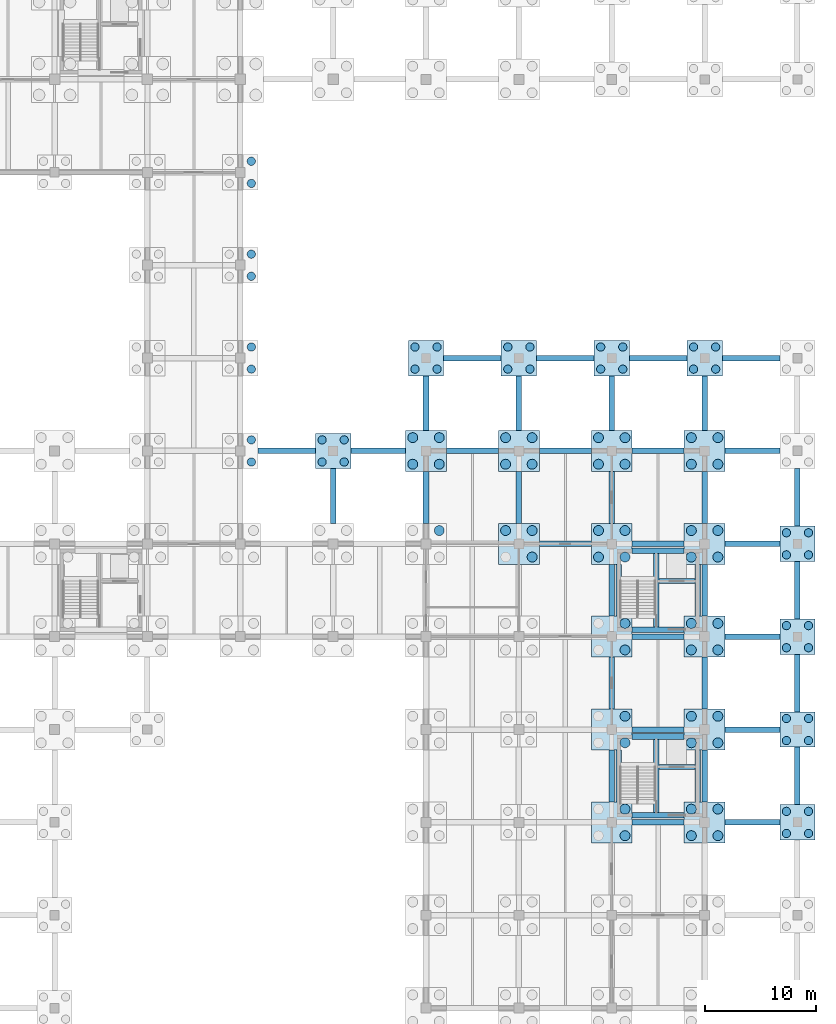
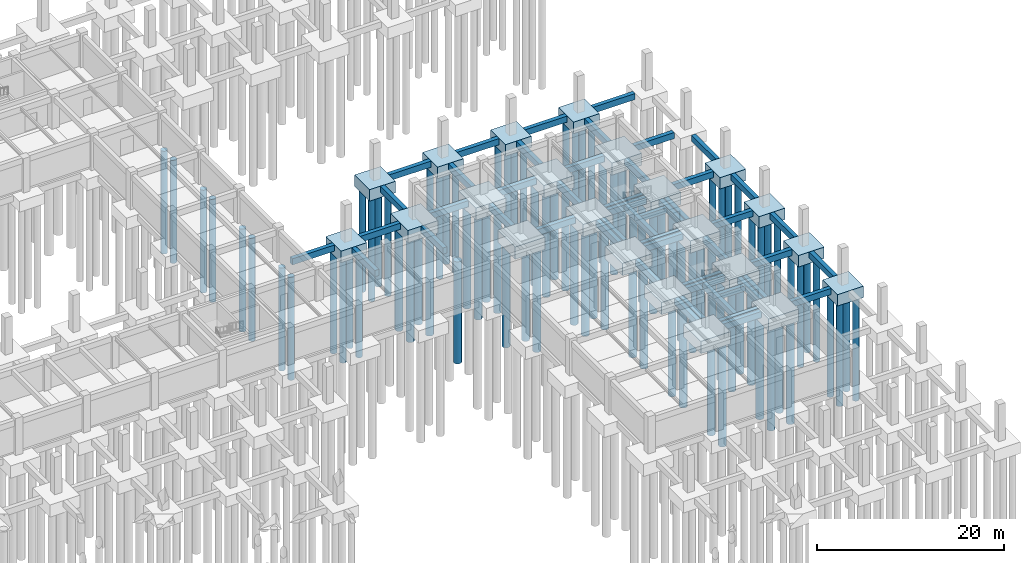
# One storey, part 10 of 29: 90 piles, 72 footings.
"""IFC4 building model written with IfcOpenShell, lengths in metres."""

from ifc_helpers import new_model, si_unit, direction, frame, origin, origin_2d, place, context, subcontext, project, spatial, rectangle, circle, extrude, material, material_profile, profile_set, type_object, element, save


model = new_model("IFC4")

# Units and contexts
model_context = context("Model", 3, precision=1e-05, world=origin(), true_north=direction((0.0, 1.0)))
body_context = subcontext(model_context, "Body", "Model", "MODEL_VIEW")
ifc_project = project(units=[si_unit("LENGTHUNIT", "METRE"), si_unit("AREAUNIT", "SQUARE_METRE"), si_unit("VOLUMEUNIT", "CUBIC_METRE"), si_unit("PLANEANGLEUNIT", "RADIAN"), si_unit("MASSUNIT", "GRAM", prefix="KILO")], contexts=[model_context])

# Site, building, storey
site_placement = place(None, origin())
site = spatial("IfcSite", under=ifc_project, at=site_placement, CompositionType="ELEMENT")
building_placement = place(site_placement, origin())
building = spatial("IfcBuilding", under=site, at=building_placement, Name="Porcellanite Civic Hall", CompositionType="ELEMENT")
storey_placement = place(building_placement, frame((0.0, 0.0, -4.5)))
storey = spatial("IfcBuildingStorey", under=building, at=storey_placement, Name="B1", CompositionType="ELEMENT", Elevation=-4.5)

# Footings
ifc_material_1 = material(Name="Concrete N40 (40 MPa)", Category="concrete")
ifc_material_profile_1 = material_profile(ifc_material_1, rectangle(XDim=0.5, YDim=0.800048828125, at=origin_2d()), Name="RC-500x800")
ifc_profile_set_1 = profile_set([ifc_material_profile_1], Name="Concrete N40 (40 MPa)")
footing_type_1 = type_object("IfcFootingType", Name="GB-01", PredefinedType="FOOTING_BEAM", material=ifc_profile_set_1)
footing_1_placement = place(storey_placement, frame((127.60009765625, 67.199951171875, -0.75), z_axis=(1.0, 0.0, 0.0), x_axis=(0.0, 1.0, 0.0)))
element("IfcFooting", 1, at=footing_1_placement, inside=storey, type_object=footing_type_1, Name="Ground tie beam B1 15-8 X", PredefinedType="FOOTING_BEAM", context=body_context, shape_type="SweptSolid", body=[
    extrude(rectangle(XDim=0.5, YDim=0.800048828125, at=origin_2d()), origin(), (0.0, 0.0, 1.0), 5.199951171875),
])
footing_2_placement = place(storey_placement, frame((134.39990234375, 60.64990234375, -0.75), z_axis=(0.0, 1.0, 0.0), x_axis=(-1.0, 0.0, 0.0)))
element("IfcFooting", 2, at=footing_2_placement, inside=storey, type_object=footing_type_1, Name="Ground tie beam B1 16-7 Y", PredefinedType="FOOTING_BEAM", context=body_context, shape_type="SweptSolid", body=[
    extrude(rectangle(XDim=0.5, YDim=0.800048828125, at=origin_2d()), origin(), (0.0, 0.0, 1.0), 4.9501953125),
])
footing_3_placement = place(storey_placement, frame((136.0, 67.199951171875, -0.75), z_axis=(1.0, 0.0, 0.0), x_axis=(0.0, 1.0, 0.0)))
element("IfcFooting", 3, at=footing_3_placement, inside=storey, type_object=footing_type_1, Name="Ground tie beam B1 16-8 X", PredefinedType="FOOTING_BEAM", context=body_context, shape_type="SweptSolid", body=[
    extrude(rectangle(XDim=0.5, YDim=0.800048828125, at=origin_2d()), origin(), (0.0, 0.0, 1.0), 4.949951171875),
])
for number, where, z_axis, x_axis, name in (
    (4, (142.800048828125, 60.64990234375, -0.75), (0.0, 1.0, 0.0), (-1.0, 0.0, 0.0), "Ground tie beam B1 17-7 Y"),
    (5, (144.64990234375, 67.199951171875, -0.75), (1.0, 0.0, 0.0), (0.0, 1.0, 0.0), "Ground tie beam B1 17-8 X"),
):
    element("IfcFooting", number, at=place(storey_placement, frame(where, z_axis=z_axis, x_axis=x_axis)), inside=storey, type_object=footing_type_1, Name=name, PredefinedType="FOOTING_BEAM", context=body_context, shape_type="SweptSolid", body=[
        extrude(rectangle(XDim=0.5, YDim=0.800048828125, at=origin_2d()), origin(), (0.0, 0.0, 1.0), 4.7001953125),
    ])
footing_4_placement = place(storey_placement, frame((142.800048828125, 69.050048828125, -0.75), z_axis=(0.0, 1.0, 0.0), x_axis=(-1.0, 0.0, 0.0)))
element("IfcFooting", 6, at=footing_4_placement, inside=storey, type_object=footing_type_1, Name="Ground tie beam B1 17-8 Y", PredefinedType="FOOTING_BEAM", context=body_context, shape_type="SweptSolid", body=[
    extrude(rectangle(XDim=0.5, YDim=0.800048828125, at=origin_2d()), origin(), (0.0, 0.0, 1.0), 4.949951171875),
])
footing_5_placement = place(storey_placement, frame((144.39990234375, 75.60009765625, -0.75), z_axis=(1.0, 0.0, 0.0), x_axis=(0.0, 1.0, 0.0)))
element("IfcFooting", 7, at=footing_5_placement, inside=storey, type_object=footing_type_1, Name="Ground tie beam B1 17-9 X", PredefinedType="FOOTING_BEAM", context=body_context, shape_type="SweptSolid", body=[
    extrude(rectangle(XDim=0.5, YDim=0.800048828125, at=origin_2d()), origin(), (0.0, 0.0, 1.0), 5.2001953125),
])
footing_6_placement = place(storey_placement, frame((153.050048828125, 58.800048828125, -0.75), z_axis=(1.0, 0.0, 0.0), x_axis=(0.0, 1.0, 0.0)))
element("IfcFooting", 8, at=footing_6_placement, inside=storey, type_object=footing_type_1, Name="Ground tie beam B1 18-7 X", PredefinedType="FOOTING_BEAM", context=body_context, shape_type="SweptSolid", body=[
    extrude(rectangle(XDim=0.5, YDim=0.800048828125, at=origin_2d()), origin(), (0.0, 0.0, 1.0), 4.699951171875),
])
footing_7_placement = place(storey_placement, frame((151.199951171875, 60.64990234375, -0.75), z_axis=(0.0, 1.0, 0.0), x_axis=(-1.0, 0.0, 0.0)))
element("IfcFooting", 9, at=footing_7_placement, inside=storey, type_object=footing_type_1, Name="Ground tie beam B1 18-7 Y", PredefinedType="FOOTING_BEAM", context=body_context, shape_type="SweptSolid", body=[
    extrude(rectangle(XDim=0.5, YDim=0.800048828125, at=origin_2d()), origin(), (0.0, 0.0, 1.0), 4.7001953125),
])
footing_8_placement = place(storey_placement, frame((153.050048828125, 67.199951171875, -0.75), z_axis=(1.0, 0.0, 0.0), x_axis=(0.0, 1.0, 0.0)))
element("IfcFooting", 10, at=footing_8_placement, inside=storey, type_object=footing_type_1, Name="Ground tie beam B1 18-8 X", PredefinedType="FOOTING_BEAM", context=body_context, shape_type="SweptSolid", body=[
    extrude(rectangle(XDim=0.5, YDim=0.800048828125, at=origin_2d()), origin(), (0.0, 0.0, 1.0), 4.699951171875),
])
footing_9_placement = place(storey_placement, frame((151.199951171875, 69.050048828125, -0.75), z_axis=(0.0, 1.0, 0.0), x_axis=(-1.0, 0.0, 0.0)))
element("IfcFooting", 11, at=footing_9_placement, inside=storey, type_object=footing_type_1, Name="Ground tie beam B1 18-8 Y", PredefinedType="FOOTING_BEAM", context=body_context, shape_type="SweptSolid", body=[
    extrude(rectangle(XDim=0.5, YDim=0.800048828125, at=origin_2d()), origin(), (0.0, 0.0, 1.0), 4.949951171875),
])
footing_10_placement = place(storey_placement, frame((152.800048828125, 75.60009765625, -0.75), z_axis=(1.0, 0.0, 0.0), x_axis=(0.0, 1.0, 0.0)))
element("IfcFooting", 12, at=footing_10_placement, inside=storey, type_object=footing_type_1, Name="Ground tie beam B1 18-9 X", PredefinedType="FOOTING_BEAM", context=body_context, shape_type="SweptSolid", body=[
    extrude(rectangle(XDim=0.5, YDim=0.800048828125, at=origin_2d()), origin(), (0.0, 0.0, 1.0), 5.199951171875),
])
for number, where, z_axis, x_axis, name in (
    (13, (161.449951171875, 33.60009765625, -0.75), (1.0, 0.0, 0.0), (0.0, 1.0, 0.0), "Ground tie beam B1 19-4 X"),
    (14, (159.60009765625, 35.449951171875, -0.75), (0.0, 1.0, 0.0), (-1.0, 0.0, 0.0), "Ground tie beam B1 19-4 Y"),
    (15, (161.449951171875, 42.0, -0.75), (1.0, 0.0, 0.0), (0.0, 1.0, 0.0), "Ground tie beam B1 19-5 X"),
    (16, (159.60009765625, 43.85009765625, -0.75), (0.0, 1.0, 0.0), (-1.0, 0.0, 0.0), "Ground tie beam B1 19-5 Y"),
    (17, (161.449951171875, 50.39990234375, -0.75), (1.0, 0.0, 0.0), (0.0, 1.0, 0.0), "Ground tie beam B1 19-6 X"),
    (18, (159.60009765625, 52.25, -0.75), (0.0, 1.0, 0.0), (-1.0, 0.0, 0.0), "Ground tie beam B1 19-6 Y"),
    (19, (161.449951171875, 58.800048828125, -0.75), (1.0, 0.0, 0.0), (0.0, 1.0, 0.0), "Ground tie beam B1 19-7 X"),
):
    element("IfcFooting", number, at=place(storey_placement, frame(where, z_axis=z_axis, x_axis=x_axis)), inside=storey, type_object=footing_type_1, Name=name, PredefinedType="FOOTING_BEAM", context=body_context, shape_type="SweptSolid", body=[
        extrude(rectangle(XDim=0.5, YDim=0.800048828125, at=origin_2d()), origin(), (0.0, 0.0, 1.0), 4.699951171875),
    ])
footing_11_placement = place(storey_placement, frame((159.60009765625, 60.64990234375, -0.75), z_axis=(0.0, 1.0, 0.0), x_axis=(-1.0, 0.0, 0.0)))
element("IfcFooting", 20, at=footing_11_placement, inside=storey, type_object=footing_type_1, Name="Ground tie beam B1 19-7 Y", PredefinedType="FOOTING_BEAM", context=body_context, shape_type="SweptSolid", body=[
    extrude(rectangle(XDim=0.5, YDim=0.800048828125, at=origin_2d()), origin(), (0.0, 0.0, 1.0), 4.7001953125),
])
footing_12_placement = place(storey_placement, frame((161.449951171875, 67.199951171875, -0.75), z_axis=(1.0, 0.0, 0.0), x_axis=(0.0, 1.0, 0.0)))
element("IfcFooting", 21, at=footing_12_placement, inside=storey, type_object=footing_type_1, Name="Ground tie beam B1 19-8 X", PredefinedType="FOOTING_BEAM", context=body_context, shape_type="SweptSolid", body=[
    extrude(rectangle(XDim=0.5, YDim=0.800048828125, at=origin_2d()), origin(), (0.0, 0.0, 1.0), 4.699951171875),
])
footing_13_placement = place(storey_placement, frame((159.60009765625, 69.050048828125, -0.75), z_axis=(0.0, 1.0, 0.0), x_axis=(-1.0, 0.0, 0.0)))
element("IfcFooting", 22, at=footing_13_placement, inside=storey, type_object=footing_type_1, Name="Ground tie beam B1 19-8 Y", PredefinedType="FOOTING_BEAM", context=body_context, shape_type="SweptSolid", body=[
    extrude(rectangle(XDim=0.5, YDim=0.800048828125, at=origin_2d()), origin(), (0.0, 0.0, 1.0), 4.949951171875),
])
footing_14_placement = place(storey_placement, frame((161.199951171875, 75.60009765625, -0.75), z_axis=(1.0, 0.0, 0.0), x_axis=(0.0, 1.0, 0.0)))
element("IfcFooting", 23, at=footing_14_placement, inside=storey, type_object=footing_type_1, Name="Ground tie beam B1 19-9 X", PredefinedType="FOOTING_BEAM", context=body_context, shape_type="SweptSolid", body=[
    extrude(rectangle(XDim=0.5, YDim=0.800048828125, at=origin_2d()), origin(), (0.0, 0.0, 1.0), 5.199951171875),
])
footing_15_placement = place(storey_placement, frame((169.85009765625, 33.60009765625, -0.75), z_axis=(1.0, 0.0, 0.0), x_axis=(0.0, 1.0, 0.0)))
element("IfcFooting", 24, at=footing_15_placement, inside=storey, type_object=footing_type_1, Name="Ground tie beam B1 20-4 X", PredefinedType="FOOTING_BEAM", context=body_context, shape_type="SweptSolid", body=[
    extrude(rectangle(XDim=0.5, YDim=0.800048828125, at=origin_2d()), origin(), (0.0, 0.0, 1.0), 4.949951171875),
])
footing_16_placement = place(storey_placement, frame((168.0, 35.449951171875, -0.75), z_axis=(0.0, 1.0, 0.0), x_axis=(-1.0, 0.0, 0.0)))
element("IfcFooting", 25, at=footing_16_placement, inside=storey, type_object=footing_type_1, Name="Ground tie beam B1 20-4 Y", PredefinedType="FOOTING_BEAM", context=body_context, shape_type="SweptSolid", body=[
    extrude(rectangle(XDim=0.5, YDim=0.800048828125, at=origin_2d()), origin(), (0.0, 0.0, 1.0), 4.699951171875),
])
footing_17_placement = place(storey_placement, frame((169.85009765625, 42.0, -0.75), z_axis=(1.0, 0.0, 0.0), x_axis=(0.0, 1.0, 0.0)))
element("IfcFooting", 26, at=footing_17_placement, inside=storey, type_object=footing_type_1, Name="Ground tie beam B1 20-5 X", PredefinedType="FOOTING_BEAM", context=body_context, shape_type="SweptSolid", body=[
    extrude(rectangle(XDim=0.5, YDim=0.800048828125, at=origin_2d()), origin(), (0.0, 0.0, 1.0), 4.949951171875),
])
footing_18_placement = place(storey_placement, frame((168.0, 43.85009765625, -0.75), z_axis=(0.0, 1.0, 0.0), x_axis=(-1.0, 0.0, 0.0)))
element("IfcFooting", 27, at=footing_18_placement, inside=storey, type_object=footing_type_1, Name="Ground tie beam B1 20-5 Y", PredefinedType="FOOTING_BEAM", context=body_context, shape_type="SweptSolid", body=[
    extrude(rectangle(XDim=0.5, YDim=0.800048828125, at=origin_2d()), origin(), (0.0, 0.0, 1.0), 4.699951171875),
])
footing_19_placement = place(storey_placement, frame((169.85009765625, 50.39990234375, -0.75), z_axis=(1.0, 0.0, 0.0), x_axis=(0.0, 1.0, 0.0)))
element("IfcFooting", 28, at=footing_19_placement, inside=storey, type_object=footing_type_1, Name="Ground tie beam B1 20-6 X", PredefinedType="FOOTING_BEAM", context=body_context, shape_type="SweptSolid", body=[
    extrude(rectangle(XDim=0.5, YDim=0.800048828125, at=origin_2d()), origin(), (0.0, 0.0, 1.0), 4.949951171875),
])
footing_20_placement = place(storey_placement, frame((168.0, 52.25, -0.75), z_axis=(0.0, 1.0, 0.0), x_axis=(-1.0, 0.0, 0.0)))
element("IfcFooting", 29, at=footing_20_placement, inside=storey, type_object=footing_type_1, Name="Ground tie beam B1 20-6 Y", PredefinedType="FOOTING_BEAM", context=body_context, shape_type="SweptSolid", body=[
    extrude(rectangle(XDim=0.5, YDim=0.800048828125, at=origin_2d()), origin(), (0.0, 0.0, 1.0), 4.699951171875),
])
footing_21_placement = place(storey_placement, frame((169.85009765625, 58.800048828125, -0.75), z_axis=(1.0, 0.0, 0.0), x_axis=(0.0, 1.0, 0.0)))
element("IfcFooting", 30, at=footing_21_placement, inside=storey, type_object=footing_type_1, Name="Ground tie beam B1 20-7 X", PredefinedType="FOOTING_BEAM", context=body_context, shape_type="SweptSolid", body=[
    extrude(rectangle(XDim=0.5, YDim=0.800048828125, at=origin_2d()), origin(), (0.0, 0.0, 1.0), 4.949951171875),
])
footing_22_placement = place(storey_placement, frame((168.0, 60.64990234375, -0.75), z_axis=(0.0, 1.0, 0.0), x_axis=(-1.0, 0.0, 0.0)))
element("IfcFooting", 31, at=footing_22_placement, inside=storey, type_object=footing_type_1, Name="Ground tie beam B1 20-7 Y", PredefinedType="FOOTING_BEAM", context=body_context, shape_type="SweptSolid", body=[
    extrude(rectangle(XDim=0.5, YDim=0.800048828125, at=origin_2d()), origin(), (0.0, 0.0, 1.0), 4.7001953125),
])
for number, where, z_axis, x_axis, name in (
    (32, (169.85009765625, 67.199951171875, -0.75), (1.0, 0.0, 0.0), (0.0, 1.0, 0.0), "Ground tie beam B1 20-8 X"),
    (33, (168.0, 69.050048828125, -0.75), (0.0, 1.0, 0.0), (-1.0, 0.0, 0.0), "Ground tie beam B1 20-8 Y"),
):
    element("IfcFooting", number, at=place(storey_placement, frame(where, z_axis=z_axis, x_axis=x_axis)), inside=storey, type_object=footing_type_1, Name=name, PredefinedType="FOOTING_BEAM", context=body_context, shape_type="SweptSolid", body=[
        extrude(rectangle(XDim=0.5, YDim=0.800048828125, at=origin_2d()), origin(), (0.0, 0.0, 1.0), 4.949951171875),
    ])
for number, where, z_axis, x_axis, name in (
    (34, (169.60009765625, 75.60009765625, -0.75), (1.0, 0.0, 0.0), (0.0, 1.0, 0.0), "Ground tie beam B1 20-9 X"),
    (35, (176.39990234375, 35.199951171875, -0.75), (0.0, 1.0, 0.0), (-1.0, 0.0, 0.0), "Ground tie beam B1 21-4 Y"),
    (36, (176.39990234375, 43.60009765625, -0.75), (0.0, 1.0, 0.0), (-1.0, 0.0, 0.0), "Ground tie beam B1 21-5 Y"),
    (37, (176.39990234375, 52.0, -0.75), (0.0, 1.0, 0.0), (-1.0, 0.0, 0.0), "Ground tie beam B1 21-6 Y"),
):
    element("IfcFooting", number, at=place(storey_placement, frame(where, z_axis=z_axis, x_axis=x_axis)), inside=storey, type_object=footing_type_1, Name=name, PredefinedType="FOOTING_BEAM", context=body_context, shape_type="SweptSolid", body=[
        extrude(rectangle(XDim=0.5, YDim=0.800048828125, at=origin_2d()), origin(), (0.0, 0.0, 1.0), 5.199951171875),
    ])
footing_23_placement = place(storey_placement, frame((176.39990234375, 60.39990234375, -0.75), z_axis=(0.0, 1.0, 0.0), x_axis=(-1.0, 0.0, 0.0)))
element("IfcFooting", 38, at=footing_23_placement, inside=storey, type_object=footing_type_1, Name="Ground tie beam B1 21-7 Y", PredefinedType="FOOTING_BEAM", context=body_context, shape_type="SweptSolid", body=[
    extrude(rectangle(XDim=0.5, YDim=0.800048828125, at=origin_2d()), origin(), (0.0, 0.0, 1.0), 5.2001953125),
])
for number, where, z_axis, x_axis, name in (
    (39, (161.449951171875, 34.22998046875, -0.75), (1.0, 0.0, 0.0), (0.0, 1.0, 0.0), "Core strip footing C7 S"),
    (40, (161.449951171875, 41.3701171875, -0.75), (1.0, 0.0, 0.0), (0.0, 1.0, 0.0), "Core strip footing C7 N"),
    (41, (160.22998046875, 35.449951171875, -0.75), (0.0, 1.0, 0.0), (-1.0, 0.0, 0.0), "Core strip footing C7 W"),
    (42, (167.3701171875, 35.449951171875, -0.75), (0.0, 1.0, 0.0), (-1.0, 0.0, 0.0), "Core strip footing C7 E"),
):
    element("IfcFooting", number, at=place(storey_placement, frame(where, z_axis=z_axis, x_axis=x_axis)), inside=storey, type_object=footing_type_1, Name=name, PredefinedType="FOOTING_BEAM", context=body_context, shape_type="SweptSolid", body=[
        extrude(rectangle(XDim=0.5, YDim=0.800048828125, at=origin_2d()), origin(), (0.0, 0.0, 1.0), 4.699951171875),
    ])
footing_24_placement = place(storey_placement, frame((163.639892578125, 34.47998046875, -0.75), z_axis=(0.0, 1.0, 0.0), x_axis=(-1.0, 0.0, 0.0)))
element("IfcFooting", 43, at=footing_24_placement, inside=storey, type_object=footing_type_1, Name="Core strip footing C7 DIV", PredefinedType="FOOTING_BEAM", context=body_context, shape_type="SweptSolid", body=[
    extrude(rectangle(XDim=0.5, YDim=0.800048828125, at=origin_2d()), origin(), (0.0, 0.0, 1.0), 6.64013671875),
])
for number, where, z_axis, x_axis, name in (
    (44, (161.449951171875, 51.030029296875, -0.75), (1.0, 0.0, 0.0), (0.0, 1.0, 0.0), "Core strip footing C8 S"),
    (45, (161.449951171875, 58.169921875, -0.75), (1.0, 0.0, 0.0), (0.0, 1.0, 0.0), "Core strip footing C8 N"),
    (46, (160.22998046875, 52.25, -0.75), (0.0, 1.0, 0.0), (-1.0, 0.0, 0.0), "Core strip footing C8 W"),
    (47, (167.3701171875, 52.25, -0.75), (0.0, 1.0, 0.0), (-1.0, 0.0, 0.0), "Core strip footing C8 E"),
):
    element("IfcFooting", number, at=place(storey_placement, frame(where, z_axis=z_axis, x_axis=x_axis)), inside=storey, type_object=footing_type_1, Name=name, PredefinedType="FOOTING_BEAM", context=body_context, shape_type="SweptSolid", body=[
        extrude(rectangle(XDim=0.5, YDim=0.800048828125, at=origin_2d()), origin(), (0.0, 0.0, 1.0), 4.699951171875),
    ])
footing_25_placement = place(storey_placement, frame((163.639892578125, 51.280029296875, -0.75), z_axis=(0.0, 1.0, 0.0), x_axis=(-1.0, 0.0, 0.0)))
element("IfcFooting", 48, at=footing_25_placement, inside=storey, type_object=footing_type_1, Name="Core strip footing C8 DIV", PredefinedType="FOOTING_BEAM", context=body_context, shape_type="SweptSolid", body=[
    extrude(rectangle(XDim=0.5, YDim=0.800048828125, at=origin_2d()), origin(), (0.0, 0.0, 1.0), 6.639892578125),
])
ifc_material_2 = material(Name="Concrete N40 (40 MPa)", Category="concrete")
ifc_material_profile_2 = material_profile(ifc_material_2, rectangle(XDim=0.449951171875, YDim=0.699951171875, at=origin_2d()), Name="RC-450x700")
ifc_profile_set_2 = profile_set([ifc_material_profile_2], Name="Concrete N40 (40 MPa)")
footing_type_2 = type_object("IfcFootingType", Name="GB-03", PredefinedType="FOOTING_BEAM", material=ifc_profile_set_2)
for number, where, z_axis, x_axis, name in (
    (49, (163.889892578125, 38.6201171875, -0.699951171875), (1.0, 0.0, 0.0), (0.0, 1.0, 0.0), "Core lift wall footing C7"),
    (50, (163.889892578125, 55.419921875, -0.699951171875), (1.0, 0.0, 0.0), (0.0, 1.0, 0.0), "Core lift wall footing C8"),
):
    element("IfcFooting", number, at=place(storey_placement, frame(where, z_axis=z_axis, x_axis=x_axis)), inside=storey, type_object=footing_type_2, Name=name, PredefinedType="FOOTING_BEAM", context=body_context, shape_type="SweptSolid", body=[
        extrude(rectangle(XDim=0.449951171875, YDim=0.699951171875, at=origin_2d()), origin(), (0.0, 0.0, 1.0), 3.230224609375),
    ])
ifc_material_3 = material(Name="Concrete N40 (40 MPa)", Category="concrete")
footing_type_3 = type_object("IfcFootingType", Name="PC-02", PredefinedType="PILE_CAP", material=ifc_material_3)
for number, where, z_axis, x_axis, name in (
    (51, (134.39990234375, 67.199951171875, -1.85009765625), (0.0, 0.0, 1.0), (1.0, 0.0, 0.0), "Pile cap 16-8"),
    (52, (142.800048828125, 75.60009765625, -1.85009765625), (0.0, 0.0, 1.0), (1.0, 0.0, 0.0), "Pile cap 17-9"),
    (53, (151.199951171875, 75.60009765625, -1.85009765625), (0.0, 0.0, 1.0), (1.0, 0.0, 0.0), "Pile cap 18-9"),
    (54, (159.60009765625, 75.60009765625, -1.85009765625), (0.0, 0.0, 1.0), (1.0, 0.0, 0.0), "Pile cap 19-9"),
    (55, (168.0, 75.60009765625, -1.85009765625), (0.0, 0.0, 1.0), (1.0, 0.0, 0.0), "Pile cap 20-9"),
    (56, (176.39990234375, 33.60009765625, -1.85009765625), (0.0, 0.0, 1.0), (1.0, 0.0, 0.0), "Pile cap 21-4"),
    (57, (176.39990234375, 42.0, -1.85009765625), (0.0, 0.0, 1.0), (1.0, 0.0, 0.0), "Pile cap 21-5"),
    (58, (176.39990234375, 50.39990234375, -1.85009765625), (0.0, 0.0, 1.0), (1.0, 0.0, 0.0), "Pile cap 21-6"),
    (59, (176.39990234375, 58.800048828125, -1.85009765625), (0.0, 0.0, 1.0), (1.0, 0.0, 0.0), "Pile cap 21-7"),
):
    element("IfcFooting", number, at=place(storey_placement, frame(where, z_axis=z_axis, x_axis=x_axis)), inside=storey, type_object=footing_type_3, Name=name, PredefinedType="PILE_CAP", context=body_context, shape_type="SweptSolid", body=[
        extrude(rectangle(XDim=3.199951171875, YDim=3.199951171875, at=origin_2d()), origin(), (0.0, 0.0, 1.0), 1.5),
    ])
ifc_material_4 = material(Name="Concrete N40 (40 MPa)", Category="concrete")
footing_type_4 = type_object("IfcFootingType", Name="PC-03", PredefinedType="PILE_CAP", material=ifc_material_4)
for number, where, z_axis, x_axis, name in (
    (60, (142.800048828125, 67.199951171875, -1.949951171875), (0.0, 0.0, 1.0), (1.0, 0.0, 0.0), "Pile cap 17-8"),
    (61, (151.199951171875, 58.800048828125, -1.949951171875), (0.0, 0.0, 1.0), (1.0, 0.0, 0.0), "Pile cap 18-7"),
    (62, (151.199951171875, 67.199951171875, -1.949951171875), (0.0, 0.0, 1.0), (1.0, 0.0, 0.0), "Pile cap 18-8"),
    (63, (159.60009765625, 33.60009765625, -1.949951171875), (0.0, 0.0, 1.0), (1.0, 0.0, 0.0), "Pile cap 19-4"),
    (64, (159.60009765625, 42.0, -1.949951171875), (0.0, 0.0, 1.0), (1.0, 0.0, 0.0), "Pile cap 19-5"),
    (65, (159.60009765625, 50.39990234375, -1.949951171875), (0.0, 0.0, 1.0), (1.0, 0.0, 0.0), "Pile cap 19-6"),
    (66, (159.60009765625, 58.800048828125, -1.949951171875), (0.0, 0.0, 1.0), (1.0, 0.0, 0.0), "Pile cap 19-7"),
    (67, (159.60009765625, 67.199951171875, -1.949951171875), (0.0, 0.0, 1.0), (1.0, 0.0, 0.0), "Pile cap 19-8"),
    (68, (168.0, 33.60009765625, -1.949951171875), (0.0, 0.0, 1.0), (1.0, 0.0, 0.0), "Pile cap 20-4"),
    (69, (168.0, 42.0, -1.949951171875), (0.0, 0.0, 1.0), (1.0, 0.0, 0.0), "Pile cap 20-5"),
    (70, (168.0, 50.39990234375, -1.949951171875), (0.0, 0.0, 1.0), (1.0, 0.0, 0.0), "Pile cap 20-6"),
    (71, (168.0, 58.800048828125, -1.949951171875), (0.0, 0.0, 1.0), (1.0, 0.0, 0.0), "Pile cap 20-7"),
    (72, (168.0, 67.199951171875, -1.949951171875), (0.0, 0.0, 1.0), (1.0, 0.0, 0.0), "Pile cap 20-8"),
):
    element("IfcFooting", number, at=place(storey_placement, frame(where, z_axis=z_axis, x_axis=x_axis)), inside=storey, type_object=footing_type_4, Name=name, PredefinedType="PILE_CAP", context=body_context, shape_type="SweptSolid", body=[
        extrude(rectangle(XDim=3.699951171875, YDim=3.699951171875, at=origin_2d()), origin(), (0.0, 0.0, 1.0), 1.60009765625),
    ])

# Piles
ifc_material_5 = material(Name="Concrete N40 (40 MPa)", Category="concrete")
ifc_material_profile_3 = material_profile(ifc_material_5, circle(Radius=0.375, at=origin_2d()), Name="PILE-D750")
ifc_profile_set_3 = profile_set([ifc_material_profile_3], Name="Concrete N40 (40 MPa)")
pile_type_1 = type_object("IfcPileType", Name="PL-750", PredefinedType="BORED", material=ifc_profile_set_3)
for number, where, z_axis, x_axis, name in (
    (73, (127.0, 66.199951171875, -1.85009765625), (0.0, 0.0, -1.0), (1.0, 0.0, 0.0), "Bored pile 15-8-3"),
    (74, (127.0, 68.199951171875, -1.85009765625), (0.0, 0.0, -1.0), (1.0, 0.0, 0.0), "Bored pile 15-8-4"),
    (75, (127.0, 74.60009765625, -1.85009765625), (0.0, 0.0, -1.0), (1.0, 0.0, 0.0), "Bored pile 15-9-3"),
    (76, (127.0, 76.60009765625, -1.85009765625), (0.0, 0.0, -1.0), (1.0, 0.0, 0.0), "Bored pile 15-9-4"),
    (77, (127.0, 83.0, -1.85009765625), (0.0, 0.0, -1.0), (1.0, 0.0, 0.0), "Bored pile 15-10-3"),
    (78, (127.0, 85.0, -1.85009765625), (0.0, 0.0, -1.0), (1.0, 0.0, 0.0), "Bored pile 15-10-4"),
    (79, (127.0, 91.39990234375, -1.85009765625), (0.0, 0.0, -1.0), (1.0, 0.0, 0.0), "Bored pile 15-11-3"),
    (80, (127.0, 93.39990234375, -1.85009765625), (0.0, 0.0, -1.0), (1.0, 0.0, 0.0), "Bored pile 15-11-4"),
    (81, (133.39990234375, 66.199951171875, -1.85009765625), (0.0, 0.0, -1.0), (1.0, 0.0, 0.0), "Bored pile 16-8-1"),
    (82, (133.39990234375, 68.199951171875, -1.85009765625), (0.0, 0.0, -1.0), (1.0, 0.0, 0.0), "Bored pile 16-8-2"),
    (83, (135.39990234375, 66.199951171875, -1.85009765625), (0.0, 0.0, -1.0), (1.0, 0.0, 0.0), "Bored pile 16-8-3"),
    (84, (135.39990234375, 68.199951171875, -1.85009765625), (0.0, 0.0, -1.0), (1.0, 0.0, 0.0), "Bored pile 16-8-4"),
    (85, (141.800048828125, 74.60009765625, -1.85009765625), (0.0, 0.0, -1.0), (1.0, 0.0, 0.0), "Bored pile 17-9-1"),
    (86, (141.800048828125, 76.60009765625, -1.85009765625), (0.0, 0.0, -1.0), (1.0, 0.0, 0.0), "Bored pile 17-9-2"),
    (87, (143.800048828125, 74.60009765625, -1.85009765625), (0.0, 0.0, -1.0), (1.0, 0.0, 0.0), "Bored pile 17-9-3"),
    (88, (143.800048828125, 76.60009765625, -1.85009765625), (0.0, 0.0, -1.0), (1.0, 0.0, 0.0), "Bored pile 17-9-4"),
    (89, (150.199951171875, 74.60009765625, -1.85009765625), (0.0, 0.0, -1.0), (1.0, 0.0, 0.0), "Bored pile 18-9-1"),
    (90, (150.199951171875, 76.60009765625, -1.85009765625), (0.0, 0.0, -1.0), (1.0, 0.0, 0.0), "Bored pile 18-9-2"),
    (91, (152.199951171875, 74.60009765625, -1.85009765625), (0.0, 0.0, -1.0), (1.0, 0.0, 0.0), "Bored pile 18-9-3"),
    (92, (152.199951171875, 76.60009765625, -1.85009765625), (0.0, 0.0, -1.0), (1.0, 0.0, 0.0), "Bored pile 18-9-4"),
    (93, (158.60009765625, 74.60009765625, -1.85009765625), (0.0, 0.0, -1.0), (1.0, 0.0, 0.0), "Bored pile 19-9-1"),
    (94, (158.60009765625, 76.60009765625, -1.85009765625), (0.0, 0.0, -1.0), (1.0, 0.0, 0.0), "Bored pile 19-9-2"),
    (95, (160.60009765625, 74.60009765625, -1.85009765625), (0.0, 0.0, -1.0), (1.0, 0.0, 0.0), "Bored pile 19-9-3"),
    (96, (160.60009765625, 76.60009765625, -1.85009765625), (0.0, 0.0, -1.0), (1.0, 0.0, 0.0), "Bored pile 19-9-4"),
    (97, (167.0, 74.60009765625, -1.85009765625), (0.0, 0.0, -1.0), (1.0, 0.0, 0.0), "Bored pile 20-9-1"),
    (98, (167.0, 76.60009765625, -1.85009765625), (0.0, 0.0, -1.0), (1.0, 0.0, 0.0), "Bored pile 20-9-2"),
    (99, (169.0, 74.60009765625, -1.85009765625), (0.0, 0.0, -1.0), (1.0, 0.0, 0.0), "Bored pile 20-9-3"),
    (100, (169.0, 76.60009765625, -1.85009765625), (0.0, 0.0, -1.0), (1.0, 0.0, 0.0), "Bored pile 20-9-4"),
    (101, (175.39990234375, 32.60009765625, -1.85009765625), (0.0, 0.0, -1.0), (1.0, 0.0, 0.0), "Bored pile 21-4-1"),
    (102, (175.39990234375, 34.60009765625, -1.85009765625), (0.0, 0.0, -1.0), (1.0, 0.0, 0.0), "Bored pile 21-4-2"),
    (103, (177.39990234375, 32.60009765625, -1.85009765625), (0.0, 0.0, -1.0), (1.0, 0.0, 0.0), "Bored pile 21-4-3"),
    (104, (177.39990234375, 34.60009765625, -1.85009765625), (0.0, 0.0, -1.0), (1.0, 0.0, 0.0), "Bored pile 21-4-4"),
    (105, (175.39990234375, 41.0, -1.85009765625), (0.0, 0.0, -1.0), (1.0, 0.0, 0.0), "Bored pile 21-5-1"),
    (106, (175.39990234375, 43.0, -1.85009765625), (0.0, 0.0, -1.0), (1.0, 0.0, 0.0), "Bored pile 21-5-2"),
    (107, (177.39990234375, 41.0, -1.85009765625), (0.0, 0.0, -1.0), (1.0, 0.0, 0.0), "Bored pile 21-5-3"),
    (108, (177.39990234375, 43.0, -1.85009765625), (0.0, 0.0, -1.0), (1.0, 0.0, 0.0), "Bored pile 21-5-4"),
    (109, (175.39990234375, 49.39990234375, -1.85009765625), (0.0, 0.0, -1.0), (1.0, 0.0, 0.0), "Bored pile 21-6-1"),
    (110, (175.39990234375, 51.39990234375, -1.85009765625), (0.0, 0.0, -1.0), (1.0, 0.0, 0.0), "Bored pile 21-6-2"),
    (111, (177.39990234375, 49.39990234375, -1.85009765625), (0.0, 0.0, -1.0), (1.0, 0.0, 0.0), "Bored pile 21-6-3"),
    (112, (177.39990234375, 51.39990234375, -1.85009765625), (0.0, 0.0, -1.0), (1.0, 0.0, 0.0), "Bored pile 21-6-4"),
    (113, (175.39990234375, 57.800048828125, -1.85009765625), (0.0, 0.0, -1.0), (1.0, 0.0, 0.0), "Bored pile 21-7-1"),
    (114, (175.39990234375, 59.800048828125, -1.85009765625), (0.0, 0.0, -1.0), (1.0, 0.0, 0.0), "Bored pile 21-7-2"),
    (115, (177.39990234375, 57.800048828125, -1.85009765625), (0.0, 0.0, -1.0), (1.0, 0.0, 0.0), "Bored pile 21-7-3"),
    (116, (177.39990234375, 59.800048828125, -1.85009765625), (0.0, 0.0, -1.0), (1.0, 0.0, 0.0), "Bored pile 21-7-4"),
):
    element("IfcPile", number, at=place(storey_placement, frame(where, z_axis=z_axis, x_axis=x_axis)), inside=storey, type_object=pile_type_1, Name=name, PredefinedType="BORED", context=body_context, shape_type="SweptSolid", body=[
        extrude(circle(Radius=0.375, at=origin_2d()), origin(), (0.0, 0.0, 1.0), 13.449951171875),
    ])
ifc_material_6 = material(Name="Concrete N40 (40 MPa)", Category="concrete")
ifc_material_profile_4 = material_profile(ifc_material_6, circle(Radius=0.449951171875, at=origin_2d()), Name="PILE-D900")
ifc_profile_set_4 = profile_set([ifc_material_profile_4], Name="Concrete N40 (40 MPa)")
pile_type_2 = type_object("IfcPileType", Name="PL-900", PredefinedType="BORED", material=ifc_profile_set_4)
for number, where, z_axis, x_axis, name in (
    (117, (144.0, 60.0, -1.949951171875), (0.0, 0.0, -1.0), (1.0, 0.0, 0.0), "Bored pile 17-7-4"),
    (118, (141.60009765625, 66.0, -1.949951171875), (0.0, 0.0, -1.0), (1.0, 0.0, 0.0), "Bored pile 17-8-1"),
    (119, (141.60009765625, 68.39990234375, -1.949951171875), (0.0, 0.0, -1.0), (1.0, 0.0, 0.0), "Bored pile 17-8-2"),
    (120, (144.0, 66.0, -1.949951171875), (0.0, 0.0, -1.0), (1.0, 0.0, 0.0), "Bored pile 17-8-3"),
    (121, (144.0, 68.39990234375, -1.949951171875), (0.0, 0.0, -1.0), (1.0, 0.0, 0.0), "Bored pile 17-8-4"),
    (122, (150.0, 60.0, -1.949951171875), (0.0, 0.0, -1.0), (1.0, 0.0, 0.0), "Bored pile 18-7-2"),
    (123, (152.39990234375, 57.60009765625, -1.949951171875), (0.0, 0.0, -1.0), (1.0, 0.0, 0.0), "Bored pile 18-7-3"),
    (124, (152.39990234375, 60.0, -1.949951171875), (0.0, 0.0, -1.0), (1.0, 0.0, 0.0), "Bored pile 18-7-4"),
    (125, (150.0, 66.0, -1.949951171875), (0.0, 0.0, -1.0), (1.0, 0.0, 0.0), "Bored pile 18-8-1"),
    (126, (150.0, 68.39990234375, -1.949951171875), (0.0, 0.0, -1.0), (1.0, 0.0, 0.0), "Bored pile 18-8-2"),
    (127, (152.39990234375, 66.0, -1.949951171875), (0.0, 0.0, -1.0), (1.0, 0.0, 0.0), "Bored pile 18-8-3"),
    (128, (152.39990234375, 68.39990234375, -1.949951171875), (0.0, 0.0, -1.0), (1.0, 0.0, 0.0), "Bored pile 18-8-4"),
    (129, (160.800048828125, 32.39990234375, -1.949951171875), (0.0, 0.0, -1.0), (1.0, 0.0, 0.0), "Bored pile 19-4-3"),
    (130, (160.800048828125, 34.800048828125, -1.949951171875), (0.0, 0.0, -1.0), (1.0, 0.0, 0.0), "Bored pile 19-4-4"),
    (131, (160.800048828125, 40.800048828125, -1.949951171875), (0.0, 0.0, -1.0), (1.0, 0.0, 0.0), "Bored pile 19-5-3"),
    (132, (160.800048828125, 43.199951171875, -1.949951171875), (0.0, 0.0, -1.0), (1.0, 0.0, 0.0), "Bored pile 19-5-4"),
    (133, (160.800048828125, 49.199951171875, -1.949951171875), (0.0, 0.0, -1.0), (1.0, 0.0, 0.0), "Bored pile 19-6-3"),
    (134, (160.800048828125, 51.60009765625, -1.949951171875), (0.0, 0.0, -1.0), (1.0, 0.0, 0.0), "Bored pile 19-6-4"),
    (135, (158.39990234375, 57.60009765625, -1.949951171875), (0.0, 0.0, -1.0), (1.0, 0.0, 0.0), "Bored pile 19-7-1"),
    (136, (158.39990234375, 60.0, -1.949951171875), (0.0, 0.0, -1.0), (1.0, 0.0, 0.0), "Bored pile 19-7-2"),
    (137, (160.800048828125, 57.60009765625, -1.949951171875), (0.0, 0.0, -1.0), (1.0, 0.0, 0.0), "Bored pile 19-7-3"),
    (138, (160.800048828125, 60.0, -1.949951171875), (0.0, 0.0, -1.0), (1.0, 0.0, 0.0), "Bored pile 19-7-4"),
    (139, (158.39990234375, 66.0, -1.949951171875), (0.0, 0.0, -1.0), (1.0, 0.0, 0.0), "Bored pile 19-8-1"),
    (140, (158.39990234375, 68.39990234375, -1.949951171875), (0.0, 0.0, -1.0), (1.0, 0.0, 0.0), "Bored pile 19-8-2"),
    (141, (160.800048828125, 66.0, -1.949951171875), (0.0, 0.0, -1.0), (1.0, 0.0, 0.0), "Bored pile 19-8-3"),
    (142, (160.800048828125, 68.39990234375, -1.949951171875), (0.0, 0.0, -1.0), (1.0, 0.0, 0.0), "Bored pile 19-8-4"),
    (143, (166.800048828125, 32.39990234375, -1.949951171875), (0.0, 0.0, -1.0), (1.0, 0.0, 0.0), "Bored pile 20-4-1"),
    (144, (166.800048828125, 34.800048828125, -1.949951171875), (0.0, 0.0, -1.0), (1.0, 0.0, 0.0), "Bored pile 20-4-2"),
    (145, (169.199951171875, 32.39990234375, -1.949951171875), (0.0, 0.0, -1.0), (1.0, 0.0, 0.0), "Bored pile 20-4-3"),
    (146, (169.199951171875, 34.800048828125, -1.949951171875), (0.0, 0.0, -1.0), (1.0, 0.0, 0.0), "Bored pile 20-4-4"),
    (147, (166.800048828125, 40.800048828125, -1.949951171875), (0.0, 0.0, -1.0), (1.0, 0.0, 0.0), "Bored pile 20-5-1"),
    (148, (166.800048828125, 43.199951171875, -1.949951171875), (0.0, 0.0, -1.0), (1.0, 0.0, 0.0), "Bored pile 20-5-2"),
    (149, (169.199951171875, 40.800048828125, -1.949951171875), (0.0, 0.0, -1.0), (1.0, 0.0, 0.0), "Bored pile 20-5-3"),
    (150, (169.199951171875, 43.199951171875, -1.949951171875), (0.0, 0.0, -1.0), (1.0, 0.0, 0.0), "Bored pile 20-5-4"),
    (151, (166.800048828125, 49.199951171875, -1.949951171875), (0.0, 0.0, -1.0), (1.0, 0.0, 0.0), "Bored pile 20-6-1"),
    (152, (166.800048828125, 51.60009765625, -1.949951171875), (0.0, 0.0, -1.0), (1.0, 0.0, 0.0), "Bored pile 20-6-2"),
    (153, (169.199951171875, 49.199951171875, -1.949951171875), (0.0, 0.0, -1.0), (1.0, 0.0, 0.0), "Bored pile 20-6-3"),
    (154, (169.199951171875, 51.60009765625, -1.949951171875), (0.0, 0.0, -1.0), (1.0, 0.0, 0.0), "Bored pile 20-6-4"),
    (155, (166.800048828125, 57.60009765625, -1.949951171875), (0.0, 0.0, -1.0), (1.0, 0.0, 0.0), "Bored pile 20-7-1"),
    (156, (166.800048828125, 60.0, -1.949951171875), (0.0, 0.0, -1.0), (1.0, 0.0, 0.0), "Bored pile 20-7-2"),
    (157, (169.199951171875, 57.60009765625, -1.949951171875), (0.0, 0.0, -1.0), (1.0, 0.0, 0.0), "Bored pile 20-7-3"),
    (158, (169.199951171875, 60.0, -1.949951171875), (0.0, 0.0, -1.0), (1.0, 0.0, 0.0), "Bored pile 20-7-4"),
    (159, (166.800048828125, 66.0, -1.949951171875), (0.0, 0.0, -1.0), (1.0, 0.0, 0.0), "Bored pile 20-8-1"),
    (160, (166.800048828125, 68.39990234375, -1.949951171875), (0.0, 0.0, -1.0), (1.0, 0.0, 0.0), "Bored pile 20-8-2"),
    (161, (169.199951171875, 66.0, -1.949951171875), (0.0, 0.0, -1.0), (1.0, 0.0, 0.0), "Bored pile 20-8-3"),
    (162, (169.199951171875, 68.39990234375, -1.949951171875), (0.0, 0.0, -1.0), (1.0, 0.0, 0.0), "Bored pile 20-8-4"),
):
    element("IfcPile", number, at=place(storey_placement, frame(where, z_axis=z_axis, x_axis=x_axis)), inside=storey, type_object=pile_type_2, Name=name, PredefinedType="BORED", context=body_context, shape_type="SweptSolid", body=[
        extrude(circle(Radius=0.449951171875, at=origin_2d()), origin(), (0.0, 0.0, 1.0), 13.35009765625),
    ])

save(model, "model.ifc")
